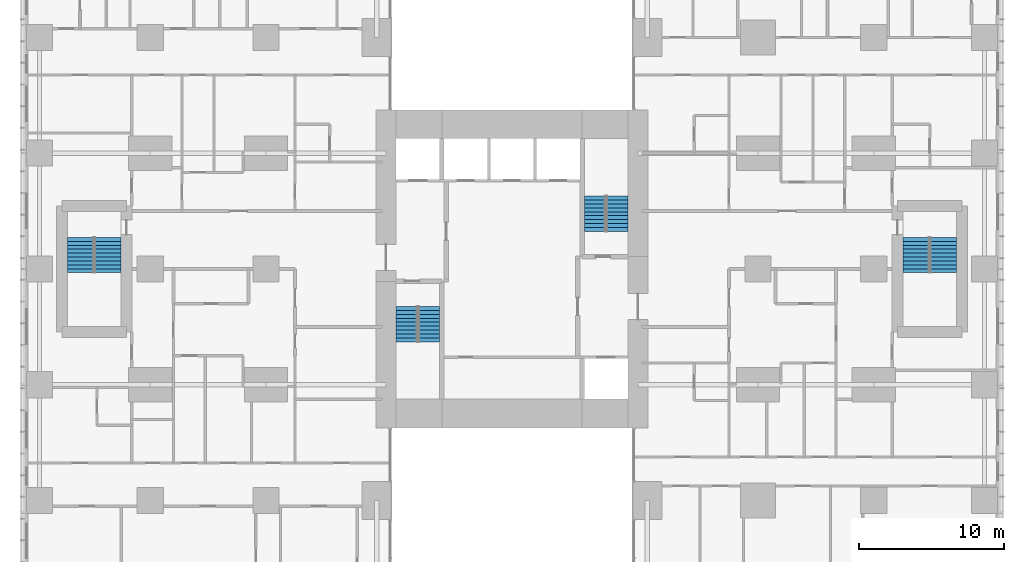
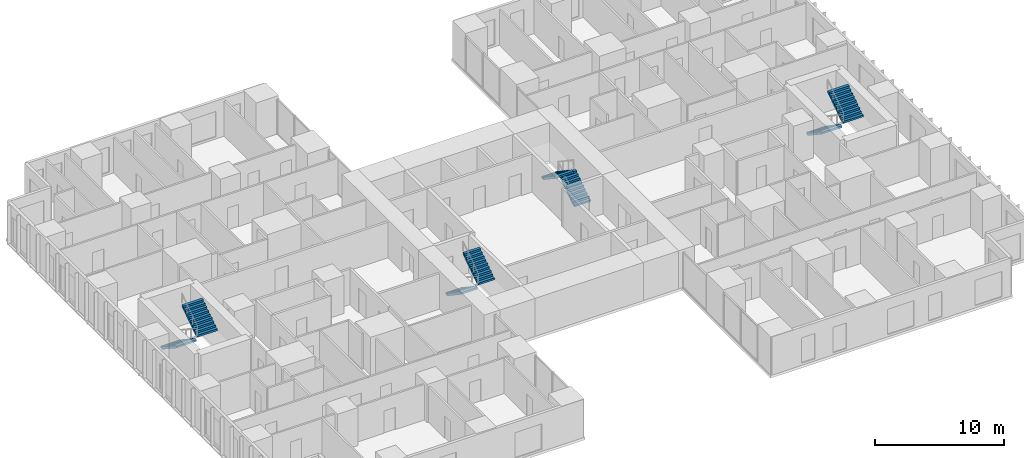
# One storey, part 19 of 20: 8 stair flights, 4 elements without a shape of their own.
"""IFC4 building model written with IfcOpenShell, lengths in metres."""

from ifc_helpers import new_model, si_unit, direction, frame, origin, place, context, subcontext, project, spatial, polyline, outline, extrude, material, type_object, element, aggregate, save


model = new_model("IFC4")

# Units and contexts
model_context = context("Model", 3, precision=1e-05, world=origin(), true_north=direction((0.0, 1.0)))
body_context = subcontext(model_context, "Body", "Model", "MODEL_VIEW")
ifc_project = project(units=[si_unit("LENGTHUNIT", "METRE"), si_unit("AREAUNIT", "SQUARE_METRE"), si_unit("VOLUMEUNIT", "CUBIC_METRE"), si_unit("PLANEANGLEUNIT", "RADIAN"), si_unit("MASSUNIT", "GRAM", prefix="KILO")], contexts=[model_context])

# Site, building, storey
site_placement = place(None, origin())
site = spatial("IfcSite", under=ifc_project, at=site_placement, CompositionType="ELEMENT")
building_placement = place(site_placement, origin())
building = spatial("IfcBuilding", under=site, at=building_placement, Name="Cleftline Residences", CompositionType="ELEMENT")
storey_placement = place(building_placement, frame((0.0, 0.0, 211.0)))
storey = spatial("IfcBuildingStorey", under=building, at=storey_placement, Name="L55", CompositionType="ELEMENT", Elevation=211.0)

# Stair, stair flights
ifc_material_1 = material(Name="Concrete B45, stone treads", Category="masonry")
stair_type_1 = type_object("IfcStairType", Name="STAIR A 1450 WIDE 180 RISER", PredefinedType="HALF_TURN_STAIR", material=ifc_material_1)
stair_1_placement = place(storey_placement, origin())
stair_1 = element("IfcStair", 1, at=stair_1_placement, inside=storey, type_object=stair_type_1, Name="Stair A L55", PredefinedType="HALF_TURN_STAIR")
ifc_material_2 = material(Name="Concrete B45", Category="concrete")
stair_flight_type_1 = type_object("IfcStairFlightType", Name="STAIR A FLIGHT 1450X180", PredefinedType="STRAIGHT", material=ifc_material_2)
stair_flight_1_placement = place(storey_placement, frame((25.72509765625, 21.39990234375, 0.0), z_axis=(0.0, 0.0, 1.0), x_axis=(0.0, -1.0, 0.0)))
stair_flight_1 = element("IfcStairFlight", 2, at=stair_flight_1_placement, type_object=stair_flight_type_1, Name="ST-A flight 1", NumberOfRisers=10, NumberOfTreads=9, PredefinedType="STRAIGHT", RiserHeight=0.18, TreadLength=0.27, context=body_context, shape_type="SweptSolid", body=[
    extrude(outline(polyline([(0.0, 0.0), (0.0, 0.013916015625), (0.0, 0.027587890625), (0.0, 0.04150390625), (0.0, 0.055419921875), (0.0, 0.0693359375), (0.0, 0.0830078125), (0.0, 0.096923828125), (0.0, 0.11083984375), (0.0, 0.12451171875), (0.0, 0.138427734375), (0.0, 0.15234375), (0.0, 0.166259765625), (0.0, 0.179931640625), (0.27001953125, 0.179931640625), (0.27001953125, 0.360107421875), (0.5400390625, 0.360107421875), (0.5400390625, 0.5400390625), (0.81005859375, 0.5400390625), (0.81005859375, 0.719970703125), (1.080078125, 0.719970703125), (1.080078125, 0.89990234375), (1.35009765625, 0.89990234375), (1.35009765625, 1.080078125), (1.6201171875, 1.080078125), (1.6201171875, 1.260009765625), (1.889892578125, 1.260009765625), (1.889892578125, 1.43994140625), (2.159912109375, 1.43994140625), (2.159912109375, 1.6201171875), (2.429931640625, 1.6201171875), (2.429931640625, 1.800048828125), (2.429931640625, 1.772216796875), (2.429931640625, 1.74462890625), (2.429931640625, 1.716796875), (2.429931640625, 1.689208984375), (2.429931640625, 1.661376953125), (2.429931640625, 1.6337890625), (2.429931640625, 1.60595703125), (2.429931640625, 1.578369140625), (2.429931640625, 1.550537109375), (2.429931640625, 1.52294921875), (2.429931640625, 1.495361328125), (2.429931640625, 1.467529296875), (2.429931640625, 1.43994140625), (0.270263671875, 0.0), (0.0, 0.0)])), frame((0.0, 0.72509765625, 0.0), z_axis=(0.0, -1.0, 0.0), x_axis=(1.0, 0.0, 0.0)), (0.0, 0.0, 1.0), 1.449951171875),
])
stair_flight_2_placement = place(storey_placement, frame((27.27490234375, 18.969970703125, 1.800048828125), z_axis=(0.0, 0.0, 1.0), x_axis=(0.0, 1.0, 0.0)))
stair_flight_2 = element("IfcStairFlight", 3, at=stair_flight_2_placement, type_object=stair_flight_type_1, Name="ST-A flight 2", NumberOfRisers=10, NumberOfTreads=9, PredefinedType="STRAIGHT", RiserHeight=0.18, TreadLength=0.27, context=body_context, shape_type="SweptSolid", body=[
    extrude(outline(polyline([(0.0, 0.0), (0.0, 0.013916015625), (0.0, 0.027587890625), (0.0, 0.04150390625), (0.0, 0.055419921875), (0.0, 0.0693359375), (0.0, 0.0830078125), (0.0, 0.096923828125), (0.0, 0.11083984375), (0.0, 0.12451171875), (0.0, 0.138427734375), (0.0, 0.15234375), (0.0, 0.166259765625), (0.0, 0.179931640625), (0.27001953125, 0.179931640625), (0.27001953125, 0.360107421875), (0.5400390625, 0.360107421875), (0.5400390625, 0.5400390625), (0.81005859375, 0.5400390625), (0.81005859375, 0.719970703125), (1.080078125, 0.719970703125), (1.080078125, 0.89990234375), (1.35009765625, 0.89990234375), (1.35009765625, 1.080078125), (1.6201171875, 1.080078125), (1.6201171875, 1.260009765625), (1.889892578125, 1.260009765625), (1.889892578125, 1.43994140625), (2.159912109375, 1.43994140625), (2.159912109375, 1.6201171875), (2.429931640625, 1.6201171875), (2.429931640625, 1.800048828125), (2.429931640625, 1.772216796875), (2.429931640625, 1.74462890625), (2.429931640625, 1.716796875), (2.429931640625, 1.689208984375), (2.429931640625, 1.661376953125), (2.429931640625, 1.6337890625), (2.429931640625, 1.60595703125), (2.429931640625, 1.578369140625), (2.429931640625, 1.550537109375), (2.429931640625, 1.52294921875), (2.429931640625, 1.495361328125), (2.429931640625, 1.467529296875), (2.429931640625, 1.43994140625), (0.270263671875, 0.0), (0.0, 0.0)])), frame((0.0, 0.72509765625, 0.0), z_axis=(0.0, -1.0, 0.0), x_axis=(1.0, 0.0, 0.0)), (0.0, 0.0, 1.0), 1.449951171875),
])
aggregate(stair_1, [stair_flight_1, stair_flight_2])

ifc_material_3 = material(Name="Concrete B45, stone treads", Category="masonry")
stair_type_2 = type_object("IfcStairType", Name="STAIR B 1450 WIDE 180 RISER", PredefinedType="HALF_TURN_STAIR", material=ifc_material_3)
stair_2_placement = place(storey_placement, origin())
stair_2 = element("IfcStair", 4, at=stair_2_placement, inside=storey, type_object=stair_type_2, Name="Stair B L55", PredefinedType="HALF_TURN_STAIR")
ifc_material_4 = material(Name="Concrete B45", Category="concrete")
stair_flight_type_2 = type_object("IfcStairFlightType", Name="STAIR B FLIGHT 1450X180", PredefinedType="STRAIGHT", material=ifc_material_4)
stair_flight_3_placement = place(storey_placement, frame((40.27490234375, 26.60009765625, 0.0), z_axis=(0.0, 0.0, 1.0), x_axis=(0.0, 1.0, 0.0)))
stair_flight_3 = element("IfcStairFlight", 5, at=stair_flight_3_placement, type_object=stair_flight_type_2, Name="ST-B flight 1", NumberOfRisers=10, NumberOfTreads=9, PredefinedType="STRAIGHT", RiserHeight=0.18, TreadLength=0.27, context=body_context, shape_type="SweptSolid", body=[
    extrude(outline(polyline([(0.0, 0.0), (0.0, 0.013916015625), (0.0, 0.027587890625), (0.0, 0.04150390625), (0.0, 0.055419921875), (0.0, 0.0693359375), (0.0, 0.0830078125), (0.0, 0.096923828125), (0.0, 0.11083984375), (0.0, 0.12451171875), (0.0, 0.138427734375), (0.0, 0.15234375), (0.0, 0.166259765625), (0.0, 0.179931640625), (0.27001953125, 0.179931640625), (0.27001953125, 0.360107421875), (0.5400390625, 0.360107421875), (0.5400390625, 0.5400390625), (0.81005859375, 0.5400390625), (0.81005859375, 0.719970703125), (1.080078125, 0.719970703125), (1.080078125, 0.89990234375), (1.35009765625, 0.89990234375), (1.35009765625, 1.080078125), (1.6201171875, 1.080078125), (1.6201171875, 1.260009765625), (1.889892578125, 1.260009765625), (1.889892578125, 1.43994140625), (2.159912109375, 1.43994140625), (2.159912109375, 1.6201171875), (2.429931640625, 1.6201171875), (2.429931640625, 1.800048828125), (2.429931640625, 1.772216796875), (2.429931640625, 1.74462890625), (2.429931640625, 1.716796875), (2.429931640625, 1.689208984375), (2.429931640625, 1.661376953125), (2.429931640625, 1.6337890625), (2.429931640625, 1.60595703125), (2.429931640625, 1.578369140625), (2.429931640625, 1.550537109375), (2.429931640625, 1.52294921875), (2.429931640625, 1.495361328125), (2.429931640625, 1.467529296875), (2.429931640625, 1.43994140625), (0.270263671875, 0.0), (0.0, 0.0)])), frame((0.0, 0.72509765625, 0.0), z_axis=(0.0, -1.0, 0.0), x_axis=(1.0, 0.0, 0.0)), (0.0, 0.0, 1.0), 1.449951171875),
])
stair_flight_4_placement = place(storey_placement, frame((38.72509765625, 29.030029296875, 1.800048828125), z_axis=(0.0, 0.0, 1.0), x_axis=(0.0, -1.0, 0.0)))
stair_flight_4 = element("IfcStairFlight", 6, at=stair_flight_4_placement, type_object=stair_flight_type_2, Name="ST-B flight 2", NumberOfRisers=10, NumberOfTreads=9, PredefinedType="STRAIGHT", RiserHeight=0.18, TreadLength=0.27, context=body_context, shape_type="SweptSolid", body=[
    extrude(outline(polyline([(0.0, 0.0), (0.0, 0.013916015625), (0.0, 0.027587890625), (0.0, 0.04150390625), (0.0, 0.055419921875), (0.0, 0.0693359375), (0.0, 0.0830078125), (0.0, 0.096923828125), (0.0, 0.11083984375), (0.0, 0.12451171875), (0.0, 0.138427734375), (0.0, 0.15234375), (0.0, 0.166259765625), (0.0, 0.179931640625), (0.27001953125, 0.179931640625), (0.27001953125, 0.360107421875), (0.5400390625, 0.360107421875), (0.5400390625, 0.5400390625), (0.81005859375, 0.5400390625), (0.81005859375, 0.719970703125), (1.080078125, 0.719970703125), (1.080078125, 0.89990234375), (1.35009765625, 0.89990234375), (1.35009765625, 1.080078125), (1.6201171875, 1.080078125), (1.6201171875, 1.260009765625), (1.889892578125, 1.260009765625), (1.889892578125, 1.43994140625), (2.159912109375, 1.43994140625), (2.159912109375, 1.6201171875), (2.429931640625, 1.6201171875), (2.429931640625, 1.800048828125), (2.429931640625, 1.772216796875), (2.429931640625, 1.74462890625), (2.429931640625, 1.716796875), (2.429931640625, 1.689208984375), (2.429931640625, 1.661376953125), (2.429931640625, 1.6337890625), (2.429931640625, 1.60595703125), (2.429931640625, 1.578369140625), (2.429931640625, 1.550537109375), (2.429931640625, 1.52294921875), (2.429931640625, 1.495361328125), (2.429931640625, 1.467529296875), (2.429931640625, 1.43994140625), (0.270263671875, 0.0), (0.0, 0.0)])), frame((0.0, 0.72509765625, 0.0), z_axis=(0.0, -1.0, 0.0), x_axis=(1.0, 0.0, 0.0)), (0.0, 0.0, 1.0), 1.449951171875),
])
aggregate(stair_2, [stair_flight_3, stair_flight_4])

ifc_material_5 = material(Name="Concrete B45, stone treads", Category="masonry")
stair_type_3 = type_object("IfcStairType", Name="STAIR E 1800 WIDE 180 RISER", PredefinedType="HALF_TURN_STAIR", material=ifc_material_5)
stair_3_placement = place(storey_placement, origin())
stair_3 = element("IfcStair", 7, at=stair_3_placement, inside=storey, type_object=stair_type_3, Name="Stair E L55", PredefinedType="HALF_TURN_STAIR")
ifc_material_6 = material(Name="Concrete B45", Category="concrete")
stair_flight_type_3 = type_object("IfcStairFlightType", Name="STAIR E FLIGHT 1800X180", PredefinedType="STRAIGHT", material=ifc_material_6)
stair_flight_5_placement = place(storey_placement, frame((60.925048828125, 26.175048828125, 0.0), z_axis=(0.0, 0.0, 1.0), x_axis=(0.0, -1.0, 0.0)))
stair_flight_5 = element("IfcStairFlight", 8, at=stair_flight_5_placement, type_object=stair_flight_type_3, Name="ST-E flight 1", NumberOfRisers=10, NumberOfTreads=9, PredefinedType="STRAIGHT", RiserHeight=0.18, TreadLength=0.27, context=body_context, shape_type="SweptSolid", body=[
    extrude(outline(polyline([(0.0, 0.0), (0.0, 0.013916015625), (0.0, 0.027587890625), (0.0, 0.04150390625), (0.0, 0.055419921875), (0.0, 0.0693359375), (0.0, 0.0830078125), (0.0, 0.096923828125), (0.0, 0.11083984375), (0.0, 0.12451171875), (0.0, 0.138427734375), (0.0, 0.15234375), (0.0, 0.166259765625), (0.0, 0.179931640625), (0.27001953125, 0.179931640625), (0.27001953125, 0.360107421875), (0.5400390625, 0.360107421875), (0.5400390625, 0.5400390625), (0.81005859375, 0.5400390625), (0.81005859375, 0.719970703125), (1.080078125, 0.719970703125), (1.080078125, 0.89990234375), (1.35009765625, 0.89990234375), (1.35009765625, 1.080078125), (1.6201171875, 1.080078125), (1.6201171875, 1.260009765625), (1.889892578125, 1.260009765625), (1.889892578125, 1.43994140625), (2.159912109375, 1.43994140625), (2.159912109375, 1.6201171875), (2.429931640625, 1.6201171875), (2.429931640625, 1.800048828125), (2.429931640625, 1.772216796875), (2.429931640625, 1.74462890625), (2.429931640625, 1.716796875), (2.429931640625, 1.689208984375), (2.429931640625, 1.661376953125), (2.429931640625, 1.6337890625), (2.429931640625, 1.60595703125), (2.429931640625, 1.578369140625), (2.429931640625, 1.550537109375), (2.429931640625, 1.52294921875), (2.429931640625, 1.495361328125), (2.429931640625, 1.467529296875), (2.429931640625, 1.43994140625), (0.270263671875, 0.0), (0.0, 0.0)])), frame((0.0, 0.89990234375, 0.0), z_axis=(0.0, -1.0, 0.0), x_axis=(1.0, 0.0, 0.0)), (0.0, 0.0, 1.0), 1.800048828125),
])
stair_flight_6_placement = place(storey_placement, frame((62.824951171875, 23.7451171875, 1.800048828125), z_axis=(0.0, 0.0, 1.0), x_axis=(0.0, 1.0, 0.0)))
stair_flight_6 = element("IfcStairFlight", 9, at=stair_flight_6_placement, type_object=stair_flight_type_3, Name="ST-E flight 2", NumberOfRisers=10, NumberOfTreads=9, PredefinedType="STRAIGHT", RiserHeight=0.18, TreadLength=0.27, context=body_context, shape_type="SweptSolid", body=[
    extrude(outline(polyline([(0.0, 0.0), (0.0, 0.013916015625), (0.0, 0.027587890625), (0.0, 0.04150390625), (0.0, 0.055419921875), (0.0, 0.0693359375), (0.0, 0.0830078125), (0.0, 0.096923828125), (0.0, 0.11083984375), (0.0, 0.12451171875), (0.0, 0.138427734375), (0.0, 0.15234375), (0.0, 0.166259765625), (0.0, 0.179931640625), (0.27001953125, 0.179931640625), (0.27001953125, 0.360107421875), (0.5400390625, 0.360107421875), (0.5400390625, 0.5400390625), (0.81005859375, 0.5400390625), (0.81005859375, 0.719970703125), (1.080078125, 0.719970703125), (1.080078125, 0.89990234375), (1.35009765625, 0.89990234375), (1.35009765625, 1.080078125), (1.6201171875, 1.080078125), (1.6201171875, 1.260009765625), (1.889892578125, 1.260009765625), (1.889892578125, 1.43994140625), (2.159912109375, 1.43994140625), (2.159912109375, 1.6201171875), (2.429931640625, 1.6201171875), (2.429931640625, 1.800048828125), (2.429931640625, 1.772216796875), (2.429931640625, 1.74462890625), (2.429931640625, 1.716796875), (2.429931640625, 1.689208984375), (2.429931640625, 1.661376953125), (2.429931640625, 1.6337890625), (2.429931640625, 1.60595703125), (2.429931640625, 1.578369140625), (2.429931640625, 1.550537109375), (2.429931640625, 1.52294921875), (2.429931640625, 1.495361328125), (2.429931640625, 1.467529296875), (2.429931640625, 1.43994140625), (0.270263671875, 0.0), (0.0, 0.0)])), frame((0.0, 0.89990234375, 0.0), z_axis=(0.0, -1.0, 0.0), x_axis=(1.0, 0.0, 0.0)), (0.0, 0.0, 1.0), 1.800048828125),
])
aggregate(stair_3, [stair_flight_5, stair_flight_6])

ifc_material_7 = material(Name="Concrete B45, stone treads", Category="masonry")
stair_type_4 = type_object("IfcStairType", Name="STAIR W 1800 WIDE 180 RISER", PredefinedType="HALF_TURN_STAIR", material=ifc_material_7)
stair_4_placement = place(storey_placement, origin())
stair_4 = element("IfcStair", 10, at=stair_4_placement, inside=storey, type_object=stair_type_4, Name="Stair W L55", PredefinedType="HALF_TURN_STAIR")
ifc_material_8 = material(Name="Concrete B45", Category="concrete")
stair_flight_type_4 = type_object("IfcStairFlightType", Name="STAIR W FLIGHT 1800X180", PredefinedType="STRAIGHT", material=ifc_material_8)
stair_flight_7_placement = place(storey_placement, frame((3.175048828125, 26.175048828125, 0.0), z_axis=(0.0, 0.0, 1.0), x_axis=(0.0, -1.0, 0.0)))
stair_flight_7 = element("IfcStairFlight", 11, at=stair_flight_7_placement, type_object=stair_flight_type_4, Name="ST-W flight 1", NumberOfRisers=10, NumberOfTreads=9, PredefinedType="STRAIGHT", RiserHeight=0.18, TreadLength=0.27, context=body_context, shape_type="SweptSolid", body=[
    extrude(outline(polyline([(0.0, 0.0), (0.0, 0.013916015625), (0.0, 0.027587890625), (0.0, 0.04150390625), (0.0, 0.055419921875), (0.0, 0.0693359375), (0.0, 0.0830078125), (0.0, 0.096923828125), (0.0, 0.11083984375), (0.0, 0.12451171875), (0.0, 0.138427734375), (0.0, 0.15234375), (0.0, 0.166259765625), (0.0, 0.179931640625), (0.27001953125, 0.179931640625), (0.27001953125, 0.360107421875), (0.5400390625, 0.360107421875), (0.5400390625, 0.5400390625), (0.81005859375, 0.5400390625), (0.81005859375, 0.719970703125), (1.080078125, 0.719970703125), (1.080078125, 0.89990234375), (1.35009765625, 0.89990234375), (1.35009765625, 1.080078125), (1.6201171875, 1.080078125), (1.6201171875, 1.260009765625), (1.889892578125, 1.260009765625), (1.889892578125, 1.43994140625), (2.159912109375, 1.43994140625), (2.159912109375, 1.6201171875), (2.429931640625, 1.6201171875), (2.429931640625, 1.800048828125), (2.429931640625, 1.772216796875), (2.429931640625, 1.74462890625), (2.429931640625, 1.716796875), (2.429931640625, 1.689208984375), (2.429931640625, 1.661376953125), (2.429931640625, 1.6337890625), (2.429931640625, 1.60595703125), (2.429931640625, 1.578369140625), (2.429931640625, 1.550537109375), (2.429931640625, 1.52294921875), (2.429931640625, 1.495361328125), (2.429931640625, 1.467529296875), (2.429931640625, 1.43994140625), (0.270263671875, 0.0), (0.0, 0.0)])), frame((0.0, 0.89990234375, 0.0), z_axis=(0.0, -1.0, 0.0), x_axis=(1.0, 0.0, 0.0)), (0.0, 0.0, 1.0), 1.800048828125),
])
stair_flight_8_placement = place(storey_placement, frame((5.074951171875, 23.7451171875, 1.800048828125), z_axis=(0.0, 0.0, 1.0), x_axis=(0.0, 1.0, 0.0)))
stair_flight_8 = element("IfcStairFlight", 12, at=stair_flight_8_placement, type_object=stair_flight_type_4, Name="ST-W flight 2", NumberOfRisers=10, NumberOfTreads=9, PredefinedType="STRAIGHT", RiserHeight=0.18, TreadLength=0.27, context=body_context, shape_type="SweptSolid", body=[
    extrude(outline(polyline([(0.0, 0.0), (0.0, 0.013916015625), (0.0, 0.027587890625), (0.0, 0.04150390625), (0.0, 0.055419921875), (0.0, 0.0693359375), (0.0, 0.0830078125), (0.0, 0.096923828125), (0.0, 0.11083984375), (0.0, 0.12451171875), (0.0, 0.138427734375), (0.0, 0.15234375), (0.0, 0.166259765625), (0.0, 0.179931640625), (0.27001953125, 0.179931640625), (0.27001953125, 0.360107421875), (0.5400390625, 0.360107421875), (0.5400390625, 0.5400390625), (0.81005859375, 0.5400390625), (0.81005859375, 0.719970703125), (1.080078125, 0.719970703125), (1.080078125, 0.89990234375), (1.35009765625, 0.89990234375), (1.35009765625, 1.080078125), (1.6201171875, 1.080078125), (1.6201171875, 1.260009765625), (1.889892578125, 1.260009765625), (1.889892578125, 1.43994140625), (2.159912109375, 1.43994140625), (2.159912109375, 1.6201171875), (2.429931640625, 1.6201171875), (2.429931640625, 1.800048828125), (2.429931640625, 1.772216796875), (2.429931640625, 1.74462890625), (2.429931640625, 1.716796875), (2.429931640625, 1.689208984375), (2.429931640625, 1.661376953125), (2.429931640625, 1.6337890625), (2.429931640625, 1.60595703125), (2.429931640625, 1.578369140625), (2.429931640625, 1.550537109375), (2.429931640625, 1.52294921875), (2.429931640625, 1.495361328125), (2.429931640625, 1.467529296875), (2.429931640625, 1.43994140625), (0.270263671875, 0.0), (0.0, 0.0)])), frame((0.0, 0.89990234375, 0.0), z_axis=(0.0, -1.0, 0.0), x_axis=(1.0, 0.0, 0.0)), (0.0, 0.0, 1.0), 1.800048828125),
])
aggregate(stair_4, [stair_flight_7, stair_flight_8])

save(model, "model.ifc")
